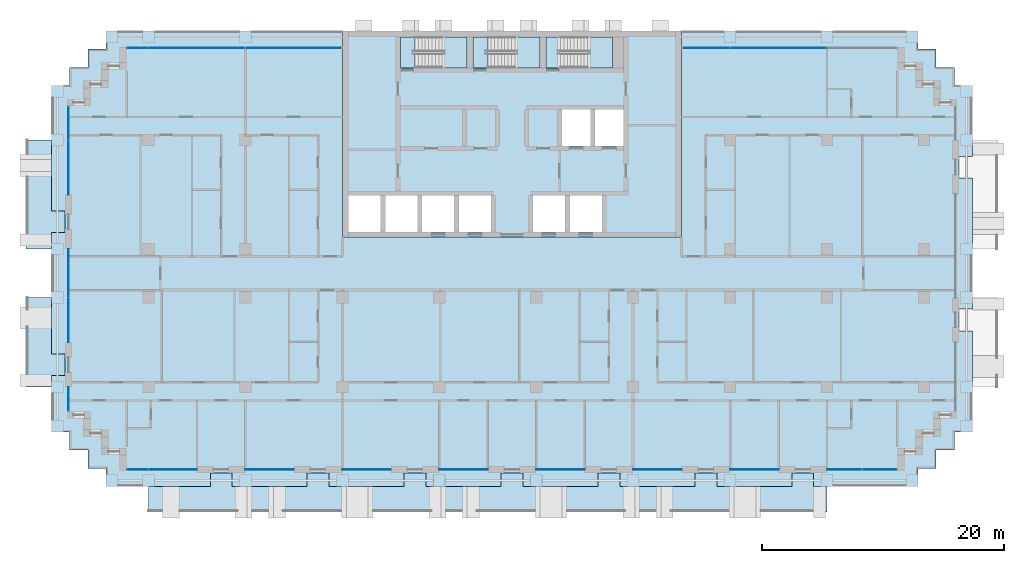
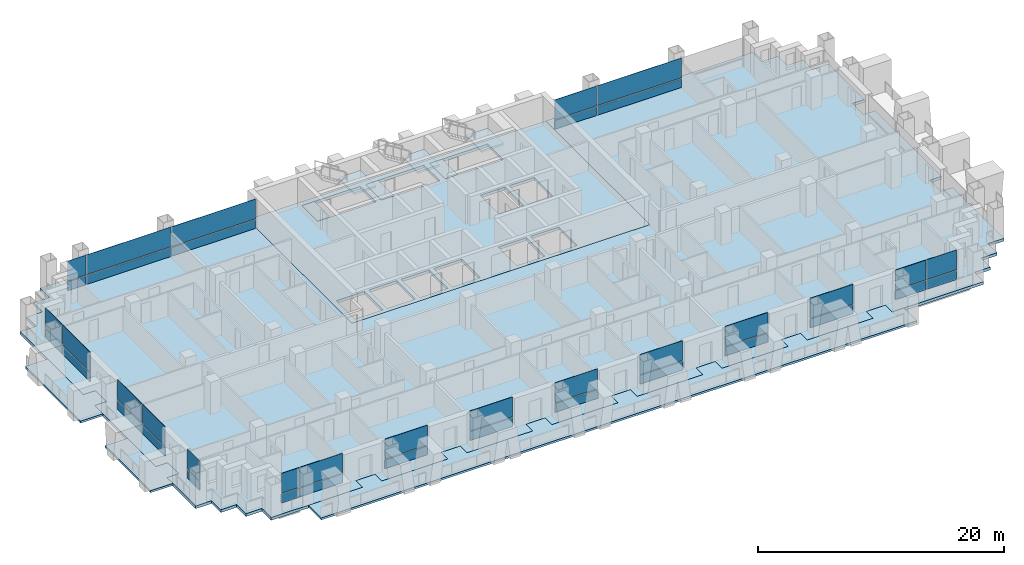
# One storey, part 7 of 18: 40 plates, 11 slabs, 16 elements without a shape of their own.
"""IFC4 building model written with IfcOpenShell, lengths in metres."""

from ifc_helpers import new_model, si_unit, direction, frame, origin, origin_2d, place, context, subcontext, project, spatial, polyline, rectangle, outline, extrude, material, layer, layer_set, type_object, element, aggregate, save


model = new_model("IFC4")

# Units and contexts
model_context = context("Model", 3, precision=1e-05, world=origin(), true_north=direction((0.0, 1.0)))
body_context = subcontext(model_context, "Body", "Model", "MODEL_VIEW")
ifc_project = project(units=[si_unit("LENGTHUNIT", "METRE"), si_unit("AREAUNIT", "SQUARE_METRE"), si_unit("VOLUMEUNIT", "CUBIC_METRE"), si_unit("PLANEANGLEUNIT", "RADIAN"), si_unit("MASSUNIT", "GRAM", prefix="KILO")], contexts=[model_context])

# Site, building, storey
site_placement = place(None, origin())
site = spatial("IfcSite", under=ifc_project, at=site_placement, CompositionType="ELEMENT")
building_placement = place(site_placement, origin())
building = spatial("IfcBuilding", under=site, at=building_placement, Name="Vidyagriha Tower", CompositionType="ELEMENT")
storey_placement = place(building_placement, frame((0.0, 0.0, 51.199951171875)))
storey = spatial("IfcBuildingStorey", under=building, at=storey_placement, Name="L13", CompositionType="ELEMENT", Elevation=51.199951171875)

# Curtain wall, plate
ifc_material_1 = material(Name="Aluminium and glass curtain wall", Category="aluminium")
curtain_wall_type = type_object("IfcCurtainWallType", Name="Dwelling skin unitised curtain wall", PredefinedType="USERDEFINED", material=ifc_material_1)
curtain_wall_1_placement = place(storey_placement, origin())
curtain_wall_1 = element("IfcCurtainWall", 1, at=curtain_wall_1_placement, inside=storey, type_object=curtain_wall_type, Name="CW1 dwelling skin", ObjectType="UNITISED", PredefinedType="USERDEFINED")
ifc_material_2 = material(Name="Glass dark ceramic-fritted spandrel", Category="glass")
ifc_layer_1 = layer(ifc_material_2, 0.0400390625)
ifc_layer_set_1 = layer_set([ifc_layer_1], Name="Glass dark ceramic-fritted spandrel")
plate_type_1 = type_object("IfcPlateType", Name="Ceramic-fritted spandrel panel", PredefinedType="CURTAIN_PANEL", material=ifc_layer_set_1)
plate_1_placement = place(storey_placement, frame((16.017578125, 18.60009765625, 0.0), z_axis=(0.0, 0.0, 1.0), x_axis=(-1.0, 0.0, 0.0)))
plate_1 = element("IfcPlate", 2, at=plate_1_placement, type_object=plate_type_1, Name="CW1 panel 3.1", PredefinedType="CURTAIN_PANEL", context=body_context, shape_type="SweptSolid", body=[
    extrude(rectangle(XDim=3.89501953125, YDim=0.0400390625, at=origin_2d()), origin(), (0.0, 0.0, 1.0), 0.85009765625),
])

# Curtain wall, plates
curtain_wall_2_placement = place(storey_placement, origin())
curtain_wall_2 = element("IfcCurtainWall", 3, at=curtain_wall_2_placement, inside=storey, type_object=curtain_wall_type, Name="CW1 dwelling skin", ObjectType="UNITISED", PredefinedType="USERDEFINED")
plate_2_placement = place(storey_placement, frame((-18.017578125, 18.60009765625, 0.0), z_axis=(0.0, 0.0, 1.0), x_axis=(-1.0, 0.0, 0.0)))
plate_2 = element("IfcPlate", 4, at=plate_2_placement, type_object=plate_type_1, Name="CW1 panel 1.1", PredefinedType="CURTAIN_PANEL", context=body_context, shape_type="SweptSolid", body=[
    extrude(rectangle(XDim=7.89501953125, YDim=0.0400390625, at=origin_2d()), origin(), (0.0, 0.0, 1.0), 0.85009765625),
])
plate_3_placement = place(storey_placement, frame((-30.882568359375, 18.60009765625, 0.0), z_axis=(0.0, 0.0, 1.0), x_axis=(-1.0, 0.0, 0.0)))
plate_3 = element("IfcPlate", 5, at=plate_3_placement, type_object=plate_type_1, Name="CW1 panel 3.1", PredefinedType="CURTAIN_PANEL", context=body_context, shape_type="SweptSolid", body=[
    extrude(rectangle(XDim=1.695068359375, YDim=0.0400390625, at=origin_2d()), origin(), (0.0, 0.0, 1.0), 0.85009765625),
])

curtain_wall_3_placement = place(storey_placement, origin())
curtain_wall_3 = element("IfcCurtainWall", 6, at=curtain_wall_3_placement, inside=storey, type_object=curtain_wall_type, Name="CW1 dwelling skin", ObjectType="UNITISED", PredefinedType="USERDEFINED")
plate_4_placement = place(storey_placement, frame((-36.60009765625, 12.382568359375, 0.0), z_axis=(0.0, 0.0, 1.0), x_axis=(0.0, -1.0, 0.0)))
plate_4 = element("IfcPlate", 7, at=plate_4_placement, type_object=plate_type_1, Name="CW1 panel 1.1", PredefinedType="CURTAIN_PANEL", context=body_context, shape_type="SweptSolid", body=[
    extrude(rectangle(XDim=2.695068359375, YDim=0.0400390625, at=origin_2d()), origin(), (0.0, 0.0, 1.0), 0.85009765625),
])
plate_5_placement = place(storey_placement, frame((-36.60009765625, 8.732421875, 0.0), z_axis=(0.0, 0.0, 1.0), x_axis=(0.0, -1.0, 0.0)))
plate_5 = element("IfcPlate", 8, at=plate_5_placement, type_object=plate_type_1, Name="CW1 panel 2.1", PredefinedType="CURTAIN_PANEL", context=body_context, shape_type="SweptSolid", body=[
    extrude(rectangle(XDim=4.465087890625, YDim=0.0400390625, at=origin_2d()), origin(), (0.0, 0.0, 1.0), 0.85009765625),
])

# Curtain wall, plate
curtain_wall_4_placement = place(storey_placement, origin())
curtain_wall_4 = element("IfcCurtainWall", 9, at=curtain_wall_4_placement, inside=storey, type_object=curtain_wall_type, Name="CW1 dwelling skin", ObjectType="UNITISED", PredefinedType="USERDEFINED")
plate_6_placement = place(storey_placement, frame((-36.60009765625, -10.364990234375, 0.0), z_axis=(0.0, 0.0, 1.0), x_axis=(0.0, -1.0, 0.0)))
plate_6 = element("IfcPlate", 10, at=plate_6_placement, type_object=plate_type_1, Name="CW1 panel 1.1", PredefinedType="CURTAIN_PANEL", context=body_context, shape_type="SweptSolid", body=[
    extrude(rectangle(XDim=1.929931640625, YDim=0.0400390625, at=origin_2d()), origin(), (0.0, 0.0, 1.0), 0.85009765625),
])

# Curtain wall, plates
curtain_wall_5_placement = place(storey_placement, origin())
curtain_wall_5 = element("IfcCurtainWall", 11, at=curtain_wall_5_placement, inside=storey, type_object=curtain_wall_type, Name="CW1 dwelling skin", ObjectType="UNITISED", PredefinedType="USERDEFINED")
plate_7_placement = place(storey_placement, frame((-30.882568359375, -16.199951171875, 0.0)))
plate_7 = element("IfcPlate", 12, at=plate_7_placement, type_object=plate_type_1, Name="CW1 panel 1.1", PredefinedType="CURTAIN_PANEL", context=body_context, shape_type="SweptSolid", body=[
    extrude(rectangle(XDim=1.695068359375, YDim=0.0400390625, at=origin_2d()), origin(), (0.0, 0.0, 1.0), 0.85009765625),
])
plate_8_placement = place(storey_placement, frame((-27.982421875, -16.199951171875, 0.0)))
plate_8 = element("IfcPlate", 13, at=plate_8_placement, type_object=plate_type_1, Name="CW1 panel 2.1", PredefinedType="CURTAIN_PANEL", context=body_context, shape_type="SweptSolid", body=[
    extrude(rectangle(XDim=3.965087890625, YDim=0.0400390625, at=origin_2d()), origin(), (0.0, 0.0, 1.0), 0.85009765625),
])

# Curtain wall, plate
curtain_wall_6_placement = place(storey_placement, origin())
curtain_wall_6 = element("IfcCurtainWall", 14, at=curtain_wall_6_placement, inside=storey, type_object=curtain_wall_type, Name="CW1 dwelling skin", ObjectType="UNITISED", PredefinedType="USERDEFINED")
plate_9_placement = place(storey_placement, frame((-12.0, -16.199951171875, 0.0)))
plate_9 = element("IfcPlate", 15, at=plate_9_placement, type_object=plate_type_1, Name="CW1 panel 1.1", PredefinedType="CURTAIN_PANEL", context=body_context, shape_type="SweptSolid", body=[
    extrude(rectangle(XDim=4.0, YDim=0.0400390625, at=origin_2d()), origin(), (0.0, 0.0, 1.0), 0.85009765625),
])

curtain_wall_7_placement = place(storey_placement, origin())
curtain_wall_7 = element("IfcCurtainWall", 16, at=curtain_wall_7_placement, inside=storey, type_object=curtain_wall_type, Name="CW1 dwelling skin", ObjectType="UNITISED", PredefinedType="USERDEFINED")
plate_10_placement = place(storey_placement, frame((4.0, -16.199951171875, 0.0)))
plate_10 = element("IfcPlate", 17, at=plate_10_placement, type_object=plate_type_1, Name="CW1 panel 1.1", PredefinedType="CURTAIN_PANEL", context=body_context, shape_type="SweptSolid", body=[
    extrude(rectangle(XDim=4.0, YDim=0.0400390625, at=origin_2d()), origin(), (0.0, 0.0, 1.0), 0.85009765625),
])

curtain_wall_8_placement = place(storey_placement, origin())
curtain_wall_8 = element("IfcCurtainWall", 18, at=curtain_wall_8_placement, inside=storey, type_object=curtain_wall_type, Name="CW1 dwelling skin", ObjectType="UNITISED", PredefinedType="USERDEFINED")
plate_11_placement = place(storey_placement, frame((20.0, -16.199951171875, 0.0)))
plate_11 = element("IfcPlate", 19, at=plate_11_placement, type_object=plate_type_1, Name="CW1 panel 1.1", PredefinedType="CURTAIN_PANEL", context=body_context, shape_type="SweptSolid", body=[
    extrude(rectangle(XDim=4.0, YDim=0.0400390625, at=origin_2d()), origin(), (0.0, 0.0, 1.0), 0.85009765625),
])

curtain_wall_9_placement = place(storey_placement, origin())
curtain_wall_9 = element("IfcCurtainWall", 20, at=curtain_wall_9_placement, inside=storey, type_object=curtain_wall_type, Name="CW1 dwelling skin", ObjectType="UNITISED", PredefinedType="USERDEFINED")
plate_12_placement = place(storey_placement, frame((30.33251953125, -16.199951171875, 0.0)))
plate_12 = element("IfcPlate", 21, at=plate_12_placement, type_object=plate_type_1, Name="CW1 panel 2.1", PredefinedType="CURTAIN_PANEL", context=body_context, shape_type="SweptSolid", body=[
    extrude(rectangle(XDim=2.794921875, YDim=0.0400390625, at=origin_2d()), origin(), (0.0, 0.0, 1.0), 0.85009765625),
])

# Slab
ifc_material_3 = material(Name="Concrete C60/75", Category="concrete")
ifc_layer_2 = layer(ifc_material_3, 0.280029296875)
ifc_layer_set_2 = layer_set([ifc_layer_2], Name="Concrete C60/75")
slab_type_1 = type_object("IfcSlabType", Name="Core floor slab 280 mm", PredefinedType="FLOOR", material=ifc_layer_set_2)
slab_1_placement = place(storey_placement, frame((0.0, 0.0, -0.280029296875)))
element("IfcSlab", 22, at=slab_1_placement, inside=storey, type_object=slab_type_1, Name="L13 core floor 1", PredefinedType="FLOOR", context=body_context, shape_type="SweptSolid", body=[
    extrude(outline(polyline([(-14.0, 3.0), (-14.0, 20.0), (14.0, 20.0), (14.0, 3.0), (-14.0, 3.0)]), holes=[polyline([(9.199951171875, 13.5), (6.86669921875, 13.5), (6.86669921875, 10.5), (9.199951171875, 10.5), (9.199951171875, 13.5)]), polyline([(4.0, 19.5), (2.800048828125, 19.5), (2.800048828125, 16.949951171875), (4.0, 16.949951171875), (8.300048828125, 16.949951171875), (8.300048828125, 19.5), (4.0, 19.5)]), polyline([(7.4111328125, 6.39990234375), (4.7666015625, 6.39990234375), (4.7666015625, 3.39990234375), (7.4111328125, 3.39990234375), (7.4111328125, 6.39990234375)]), polyline([(6.466796875, 13.5), (4.13330078125, 13.5), (4.13330078125, 10.5), (6.466796875, 10.5), (6.466796875, 13.5)]), polyline([(1.72216796875, 6.39990234375), (1.72216796875, 3.39990234375), (4.36669921875, 3.39990234375), (4.36669921875, 6.39990234375), (1.72216796875, 6.39990234375)]), polyline([(-2.0, 16.949951171875), (2.300048828125, 16.949951171875), (2.300048828125, 19.5), (-2.0, 19.5), (-3.199951171875, 19.5), (-3.199951171875, 16.949951171875), (-2.0, 16.949951171875)]), polyline([(-1.72216796875, 6.39990234375), (-4.36669921875, 6.39990234375), (-4.36669921875, 3.39990234375), (-1.72216796875, 3.39990234375), (-1.72216796875, 6.39990234375)]), polyline([(-8.0, 19.5), (-9.199951171875, 19.5), (-9.199951171875, 16.949951171875), (-8.0, 16.949951171875), (-3.699951171875, 16.949951171875), (-3.699951171875, 19.5), (-8.0, 19.5)]), polyline([(-4.7666015625, 6.39990234375), (-7.4111328125, 6.39990234375), (-7.4111328125, 3.39990234375), (-4.7666015625, 3.39990234375), (-4.7666015625, 6.39990234375)]), polyline([(-7.81103515625, 6.39990234375), (-10.45556640625, 6.39990234375), (-10.45556640625, 3.39990234375), (-7.81103515625, 3.39990234375), (-7.81103515625, 6.39990234375)]), polyline([(-13.5, 6.39990234375), (-13.5, 3.39990234375), (-10.855712890625, 3.39990234375), (-10.855712890625, 6.39990234375), (-13.5, 6.39990234375)])]), origin(), (0.0, 0.0, 1.0), 0.280029296875),
])

# Plate
ifc_material_4 = material(Name="Glass dark ceramic-fritted", Category="glass")
ifc_layer_3 = layer(ifc_material_4, 0.028076171875)
ifc_layer_set_3 = layer_set([ifc_layer_3], Name="Glass dark ceramic-fritted")
plate_type_2 = type_object("IfcPlateType", Name="Dark ceramic-fritted vision glass panel", PredefinedType="CURTAIN_PANEL", material=ifc_layer_set_3)
plate_13_placement = place(storey_placement, frame((22.0, 18.60009765625, 0.9501953125), z_axis=(0.0, 0.0, 1.0), x_axis=(-1.0, 0.0, 0.0)))
plate_13 = element("IfcPlate", 23, at=plate_13_placement, type_object=plate_type_2, Name="CW1 panel 2.2", PredefinedType="CURTAIN_PANEL", context=body_context, shape_type="SweptSolid", body=[
    extrude(rectangle(XDim=7.929931640625, YDim=0.028076171875, at=origin_2d()), origin(), (0.0, 0.0, 1.0), 1.969970703125),
])

plate_14_placement = place(storey_placement, frame((16.017578125, 18.60009765625, 0.9501953125), z_axis=(0.0, 0.0, 1.0), x_axis=(-1.0, 0.0, 0.0)))
plate_14 = element("IfcPlate", 24, at=plate_14_placement, type_object=plate_type_2, Name="CW1 panel 3.2", PredefinedType="CURTAIN_PANEL", context=body_context, shape_type="SweptSolid", body=[
    extrude(rectangle(XDim=3.89501953125, YDim=0.028076171875, at=origin_2d()), origin(), (0.0, 0.0, 1.0), 1.969970703125),
])

plate_15_placement = place(storey_placement, frame((-18.017578125, 18.60009765625, 0.9501953125), z_axis=(0.0, 0.0, 1.0), x_axis=(-1.0, 0.0, 0.0)))
plate_15 = element("IfcPlate", 25, at=plate_15_placement, type_object=plate_type_2, Name="CW1 panel 1.2", PredefinedType="CURTAIN_PANEL", context=body_context, shape_type="SweptSolid", body=[
    extrude(rectangle(XDim=7.89501953125, YDim=0.028076171875, at=origin_2d()), origin(), (0.0, 0.0, 1.0), 1.969970703125),
])

plate_16_placement = place(storey_placement, frame((-26.0, 18.60009765625, 0.9501953125), z_axis=(0.0, 0.0, 1.0), x_axis=(-1.0, 0.0, 0.0)))
plate_16 = element("IfcPlate", 26, at=plate_16_placement, type_object=plate_type_2, Name="CW1 panel 2.2", PredefinedType="CURTAIN_PANEL", context=body_context, shape_type="SweptSolid", body=[
    extrude(rectangle(XDim=7.929931640625, YDim=0.028076171875, at=origin_2d()), origin(), (0.0, 0.0, 1.0), 1.969970703125),
])

plate_17_placement = place(storey_placement, frame((-30.882568359375, 18.60009765625, 0.9501953125), z_axis=(0.0, 0.0, 1.0), x_axis=(-1.0, 0.0, 0.0)))
plate_17 = element("IfcPlate", 27, at=plate_17_placement, type_object=plate_type_2, Name="CW1 panel 3.2", PredefinedType="CURTAIN_PANEL", context=body_context, shape_type="SweptSolid", body=[
    extrude(rectangle(XDim=1.695068359375, YDim=0.028076171875, at=origin_2d()), origin(), (0.0, 0.0, 1.0), 1.969970703125),
])

plate_18_placement = place(storey_placement, frame((-36.60009765625, 12.382568359375, 0.9501953125), z_axis=(0.0, 0.0, 1.0), x_axis=(0.0, -1.0, 0.0)))
plate_18 = element("IfcPlate", 28, at=plate_18_placement, type_object=plate_type_2, Name="CW1 panel 1.2", PredefinedType="CURTAIN_PANEL", context=body_context, shape_type="SweptSolid", body=[
    extrude(rectangle(XDim=2.695068359375, YDim=0.028076171875, at=origin_2d()), origin(), (0.0, 0.0, 1.0), 1.969970703125),
])

plate_19_placement = place(storey_placement, frame((-36.60009765625, 8.732421875, 0.9501953125), z_axis=(0.0, 0.0, 1.0), x_axis=(0.0, -1.0, 0.0)))
plate_19 = element("IfcPlate", 29, at=plate_19_placement, type_object=plate_type_2, Name="CW1 panel 2.2", PredefinedType="CURTAIN_PANEL", context=body_context, shape_type="SweptSolid", body=[
    extrude(rectangle(XDim=4.465087890625, YDim=0.028076171875, at=origin_2d()), origin(), (0.0, 0.0, 1.0), 1.969970703125),
])

aggregate(curtain_wall_3, [plate_4, plate_18, plate_5, plate_19])

# Curtain wall, plates
curtain_wall_10_placement = place(storey_placement, origin())
curtain_wall_10 = element("IfcCurtainWall", 30, at=curtain_wall_10_placement, inside=storey, type_object=curtain_wall_type, Name="CW1 dwelling skin", ObjectType="UNITISED", PredefinedType="USERDEFINED")
plate_20_placement = place(storey_placement, frame((-36.60009765625, 0.017578125, 0.9501953125), z_axis=(0.0, 0.0, 1.0), x_axis=(0.0, -1.0, 0.0)))
plate_20 = element("IfcPlate", 31, at=plate_20_placement, type_object=plate_type_2, Name="CW1 panel 1.2", PredefinedType="CURTAIN_PANEL", context=body_context, shape_type="SweptSolid", body=[
    extrude(rectangle(XDim=3.965087890625, YDim=0.028076171875, at=origin_2d()), origin(), (0.0, 0.0, 1.0), 1.969970703125),
])
plate_21_placement = place(storey_placement, frame((-36.60009765625, -3.867431640625, 0.9501953125), z_axis=(0.0, 0.0, 1.0), x_axis=(0.0, -1.0, 0.0)))
plate_21 = element("IfcPlate", 32, at=plate_21_placement, type_object=plate_type_2, Name="CW1 panel 2.2", PredefinedType="CURTAIN_PANEL", context=body_context, shape_type="SweptSolid", body=[
    extrude(rectangle(XDim=3.6650390625, YDim=0.028076171875, at=origin_2d()), origin(), (0.0, 0.0, 1.0), 1.969970703125),
])

# Plate
plate_22_placement = place(storey_placement, frame((-36.60009765625, -10.364990234375, 0.9501953125), z_axis=(0.0, 0.0, 1.0), x_axis=(0.0, -1.0, 0.0)))
plate_22 = element("IfcPlate", 33, at=plate_22_placement, type_object=plate_type_2, Name="CW1 panel 1.2", PredefinedType="CURTAIN_PANEL", context=body_context, shape_type="SweptSolid", body=[
    extrude(rectangle(XDim=1.929931640625, YDim=0.028076171875, at=origin_2d()), origin(), (0.0, 0.0, 1.0), 1.969970703125),
])

aggregate(curtain_wall_4, [plate_6, plate_22])

plate_23_placement = place(storey_placement, frame((-30.882568359375, -16.199951171875, 0.9501953125)))
plate_23 = element("IfcPlate", 34, at=plate_23_placement, type_object=plate_type_2, Name="CW1 panel 1.2", PredefinedType="CURTAIN_PANEL", context=body_context, shape_type="SweptSolid", body=[
    extrude(rectangle(XDim=1.695068359375, YDim=0.028076171875, at=origin_2d()), origin(), (0.0, 0.0, 1.0), 1.969970703125),
])

plate_24_placement = place(storey_placement, frame((-27.982421875, -16.199951171875, 0.9501953125)))
plate_24 = element("IfcPlate", 35, at=plate_24_placement, type_object=plate_type_2, Name="CW1 panel 2.2", PredefinedType="CURTAIN_PANEL", context=body_context, shape_type="SweptSolid", body=[
    extrude(rectangle(XDim=3.965087890625, YDim=0.028076171875, at=origin_2d()), origin(), (0.0, 0.0, 1.0), 1.969970703125),
])

aggregate(curtain_wall_5, [plate_7, plate_23, plate_8, plate_24])

# Curtain wall, plate
curtain_wall_11_placement = place(storey_placement, origin())
curtain_wall_11 = element("IfcCurtainWall", 36, at=curtain_wall_11_placement, inside=storey, type_object=curtain_wall_type, Name="CW1 dwelling skin", ObjectType="UNITISED", PredefinedType="USERDEFINED")
plate_25_placement = place(storey_placement, frame((-20.0, -16.199951171875, 0.9501953125)))
plate_25 = element("IfcPlate", 37, at=plate_25_placement, type_object=plate_type_2, Name="CW1 panel 1.2", PredefinedType="CURTAIN_PANEL", context=body_context, shape_type="SweptSolid", body=[
    extrude(rectangle(XDim=4.0, YDim=0.028076171875, at=origin_2d()), origin(), (0.0, 0.0, 1.0), 1.969970703125),
])

# Plate
plate_26_placement = place(storey_placement, frame((-12.0, -16.199951171875, 0.9501953125)))
plate_26 = element("IfcPlate", 38, at=plate_26_placement, type_object=plate_type_2, Name="CW1 panel 1.2", PredefinedType="CURTAIN_PANEL", context=body_context, shape_type="SweptSolid", body=[
    extrude(rectangle(XDim=4.0, YDim=0.028076171875, at=origin_2d()), origin(), (0.0, 0.0, 1.0), 1.969970703125),
])

aggregate(curtain_wall_6, [plate_9, plate_26])

# Curtain wall, plate
curtain_wall_12_placement = place(storey_placement, origin())
curtain_wall_12 = element("IfcCurtainWall", 39, at=curtain_wall_12_placement, inside=storey, type_object=curtain_wall_type, Name="CW1 dwelling skin", ObjectType="UNITISED", PredefinedType="USERDEFINED")
plate_27_placement = place(storey_placement, frame((-4.0, -16.199951171875, 0.9501953125)))
plate_27 = element("IfcPlate", 40, at=plate_27_placement, type_object=plate_type_2, Name="CW1 panel 1.2", PredefinedType="CURTAIN_PANEL", context=body_context, shape_type="SweptSolid", body=[
    extrude(rectangle(XDim=4.0, YDim=0.028076171875, at=origin_2d()), origin(), (0.0, 0.0, 1.0), 1.969970703125),
])

# Plate
plate_28_placement = place(storey_placement, frame((4.0, -16.199951171875, 0.9501953125)))
plate_28 = element("IfcPlate", 41, at=plate_28_placement, type_object=plate_type_2, Name="CW1 panel 1.2", PredefinedType="CURTAIN_PANEL", context=body_context, shape_type="SweptSolid", body=[
    extrude(rectangle(XDim=4.0, YDim=0.028076171875, at=origin_2d()), origin(), (0.0, 0.0, 1.0), 1.969970703125),
])

aggregate(curtain_wall_7, [plate_10, plate_28])

# Curtain wall, plate
curtain_wall_13_placement = place(storey_placement, origin())
curtain_wall_13 = element("IfcCurtainWall", 42, at=curtain_wall_13_placement, inside=storey, type_object=curtain_wall_type, Name="CW1 dwelling skin", ObjectType="UNITISED", PredefinedType="USERDEFINED")
plate_29_placement = place(storey_placement, frame((12.0, -16.199951171875, 0.9501953125)))
plate_29 = element("IfcPlate", 43, at=plate_29_placement, type_object=plate_type_2, Name="CW1 panel 1.2", PredefinedType="CURTAIN_PANEL", context=body_context, shape_type="SweptSolid", body=[
    extrude(rectangle(XDim=4.0, YDim=0.028076171875, at=origin_2d()), origin(), (0.0, 0.0, 1.0), 1.969970703125),
])

# Plate
plate_30_placement = place(storey_placement, frame((20.0, -16.199951171875, 0.9501953125)))
plate_30 = element("IfcPlate", 44, at=plate_30_placement, type_object=plate_type_2, Name="CW1 panel 1.2", PredefinedType="CURTAIN_PANEL", context=body_context, shape_type="SweptSolid", body=[
    extrude(rectangle(XDim=4.0, YDim=0.028076171875, at=origin_2d()), origin(), (0.0, 0.0, 1.0), 1.969970703125),
])

aggregate(curtain_wall_8, [plate_11, plate_30])

plate_31_placement = place(storey_placement, frame((27.4326171875, -16.199951171875, 0.9501953125)))
plate_31 = element("IfcPlate", 45, at=plate_31_placement, type_object=plate_type_2, Name="CW1 panel 1.2", PredefinedType="CURTAIN_PANEL", context=body_context, shape_type="SweptSolid", body=[
    extrude(rectangle(XDim=2.864990234375, YDim=0.028076171875, at=origin_2d()), origin(), (0.0, 0.0, 1.0), 1.969970703125),
])

plate_32_placement = place(storey_placement, frame((30.33251953125, -16.199951171875, 0.9501953125)))
plate_32 = element("IfcPlate", 46, at=plate_32_placement, type_object=plate_type_2, Name="CW1 panel 2.2", PredefinedType="CURTAIN_PANEL", context=body_context, shape_type="SweptSolid", body=[
    extrude(rectangle(XDim=2.794921875, YDim=0.028076171875, at=origin_2d()), origin(), (0.0, 0.0, 1.0), 1.969970703125),
])

# Slabs
ifc_material_5 = material(Name="Concrete C40/50", Category="concrete")
ifc_layer_4 = layer(ifc_material_5, 0.280029296875)
ifc_layer_set_4 = layer_set([ifc_layer_4], Name="Concrete C40/50")
slab_type_2 = type_object("IfcSlabType", Name="Exit stair floor landing 280 mm", PredefinedType="LANDING", material=ifc_layer_set_4)
slab_2_placement = place(storey_placement, frame((0.0, 0.0, -0.280029296875)))
element("IfcSlab", 47, at=slab_2_placement, inside=storey, type_object=slab_type_2, Name="ST1 floor landing L13", PredefinedType="LANDING", context=body_context, shape_type="SweptSolid", body=[
    extrude(outline(polyline([(-9.199951171875, 16.949951171875), (-8.0, 16.949951171875), (-8.0, 19.5), (-9.199951171875, 19.5), (-9.199951171875, 16.949951171875)])), origin(), (0.0, 0.0, 1.0), 0.280029296875),
])
slab_3_placement = place(storey_placement, frame((0.0, 0.0, -0.280029296875)))
element("IfcSlab", 48, at=slab_3_placement, inside=storey, type_object=slab_type_2, Name="ST2 floor landing L13", PredefinedType="LANDING", context=body_context, shape_type="SweptSolid", body=[
    extrude(outline(polyline([(-3.199951171875, 16.949951171875), (-2.0, 16.949951171875), (-2.0, 19.5), (-3.199951171875, 19.5), (-3.199951171875, 16.949951171875)])), origin(), (0.0, 0.0, 1.0), 0.280029296875),
])
slab_4_placement = place(storey_placement, frame((0.0, 0.0, -0.280029296875)))
element("IfcSlab", 49, at=slab_4_placement, inside=storey, type_object=slab_type_2, Name="ST3 floor landing L13", PredefinedType="LANDING", context=body_context, shape_type="SweptSolid", body=[
    extrude(outline(polyline([(2.800048828125, 16.949951171875), (4.0, 16.949951171875), (4.0, 19.5), (2.800048828125, 19.5), (2.800048828125, 16.949951171875)])), origin(), (0.0, 0.0, 1.0), 0.280029296875),
])

# Stair, slab
ifc_material_6 = material(Name="Concrete C40/50", Category="concrete")
stair_type = type_object("IfcStairType", Name="Exit stair, half-turn, precast flights", PredefinedType="HALF_TURN_STAIR", material=ifc_material_6)
stair_1_placement = place(storey_placement, origin())
stair_1 = element("IfcStair", 50, at=stair_1_placement, inside=storey, type_object=stair_type, Name="L13 Exit Stair ST1", PredefinedType="HALF_TURN_STAIR")
ifc_material_7 = material(Name="Concrete C40/50", Category="concrete")
ifc_layer_5 = layer(ifc_material_7, 0.199951171875)
ifc_layer_set_5 = layer_set([ifc_layer_5], Name="Concrete C40/50")
slab_type_3 = type_object("IfcSlabType", Name="Exit stair landing 200 mm", PredefinedType="LANDING", material=ifc_layer_set_5)
slab_5_placement = place(storey_placement, frame((0.0, 0.0, 1.400146484375)))
slab_5 = element("IfcSlab", 51, at=slab_5_placement, type_object=slab_type_3, Name="ST1 landing 1", PredefinedType="LANDING", context=body_context, shape_type="SweptSolid", body=[
    extrude(outline(polyline([(-5.760009765625, 16.949951171875), (-3.699951171875, 16.949951171875), (-3.699951171875, 19.5), (-5.760009765625, 19.5), (-5.760009765625, 16.949951171875)])), origin(), (0.0, 0.0, 1.0), 0.199951171875),
])
aggregate(stair_1, [slab_5])

stair_2_placement = place(storey_placement, origin())
stair_2 = element("IfcStair", 52, at=stair_2_placement, inside=storey, type_object=stair_type, Name="L13 Exit Stair ST2", PredefinedType="HALF_TURN_STAIR")
slab_6_placement = place(storey_placement, frame((0.0, 0.0, 1.400146484375)))
slab_6 = element("IfcSlab", 53, at=slab_6_placement, type_object=slab_type_3, Name="ST2 landing 1", PredefinedType="LANDING", context=body_context, shape_type="SweptSolid", body=[
    extrude(outline(polyline([(0.239990234375, 16.949951171875), (2.300048828125, 16.949951171875), (2.300048828125, 19.5), (0.239990234375, 19.5), (0.239990234375, 16.949951171875)])), origin(), (0.0, 0.0, 1.0), 0.199951171875),
])
aggregate(stair_2, [slab_6])

stair_3_placement = place(storey_placement, origin())
stair_3 = element("IfcStair", 54, at=stair_3_placement, inside=storey, type_object=stair_type, Name="L13 Exit Stair ST3", PredefinedType="HALF_TURN_STAIR")
slab_7_placement = place(storey_placement, frame((0.0, 0.0, 1.400146484375)))
slab_7 = element("IfcSlab", 55, at=slab_7_placement, type_object=slab_type_3, Name="ST3 landing 1", PredefinedType="LANDING", context=body_context, shape_type="SweptSolid", body=[
    extrude(outline(polyline([(6.239990234375, 16.949951171875), (8.300048828125, 16.949951171875), (8.300048828125, 19.5), (6.239990234375, 19.5), (6.239990234375, 16.949951171875)])), origin(), (0.0, 0.0, 1.0), 0.199951171875),
])
aggregate(stair_3, [slab_7])

# Plate
ifc_material_8 = material(Name="Aluminium black anodised", Category="aluminium")
ifc_layer_6 = layer(ifc_material_8, 0.06005859375)
ifc_layer_set_6 = layer_set([ifc_layer_6], Name="Aluminium black anodised")
plate_type_3 = type_object("IfcPlateType", Name="Operable black-metal vent panel", PredefinedType="CURTAIN_PANEL", material=ifc_layer_set_6)
plate_33_placement = place(storey_placement, frame((22.0, 18.60009765625, 0.0), z_axis=(0.0, 0.0, 1.0), x_axis=(-1.0, 0.0, 0.0)))
plate_33 = element("IfcPlate", 56, at=plate_33_placement, type_object=plate_type_3, Name="CW1 panel 2.1", PredefinedType="CURTAIN_PANEL", context=body_context, shape_type="SweptSolid", body=[
    extrude(rectangle(XDim=7.929931640625, YDim=0.06005859375, at=origin_2d()), origin(), (0.0, 0.0, 1.0), 0.85009765625),
])

aggregate(curtain_wall_1, [plate_33, plate_13, plate_1, plate_14])

plate_34_placement = place(storey_placement, frame((-26.0, 18.60009765625, 0.0), z_axis=(0.0, 0.0, 1.0), x_axis=(-1.0, 0.0, 0.0)))
plate_34 = element("IfcPlate", 57, at=plate_34_placement, type_object=plate_type_3, Name="CW1 panel 2.1", PredefinedType="CURTAIN_PANEL", context=body_context, shape_type="SweptSolid", body=[
    extrude(rectangle(XDim=7.929931640625, YDim=0.06005859375, at=origin_2d()), origin(), (0.0, 0.0, 1.0), 0.85009765625),
])

aggregate(curtain_wall_2, [plate_2, plate_15, plate_34, plate_16, plate_3, plate_17])

plate_35_placement = place(storey_placement, frame((-36.60009765625, 0.017578125, 0.0), z_axis=(0.0, 0.0, 1.0), x_axis=(0.0, -1.0, 0.0)))
plate_35 = element("IfcPlate", 58, at=plate_35_placement, type_object=plate_type_3, Name="CW1 panel 1.1", PredefinedType="CURTAIN_PANEL", context=body_context, shape_type="SweptSolid", body=[
    extrude(rectangle(XDim=3.965087890625, YDim=0.06005859375, at=origin_2d()), origin(), (0.0, 0.0, 1.0), 0.85009765625),
])

plate_36_placement = place(storey_placement, frame((-36.60009765625, -3.867431640625, 0.0), z_axis=(0.0, 0.0, 1.0), x_axis=(0.0, -1.0, 0.0)))
plate_36 = element("IfcPlate", 59, at=plate_36_placement, type_object=plate_type_3, Name="CW1 panel 2.1", PredefinedType="CURTAIN_PANEL", context=body_context, shape_type="SweptSolid", body=[
    extrude(rectangle(XDim=3.6650390625, YDim=0.06005859375, at=origin_2d()), origin(), (0.0, 0.0, 1.0), 0.85009765625),
])

aggregate(curtain_wall_10, [plate_35, plate_20, plate_36, plate_21])

plate_37_placement = place(storey_placement, frame((-20.0, -16.199951171875, 0.0)))
plate_37 = element("IfcPlate", 60, at=plate_37_placement, type_object=plate_type_3, Name="CW1 panel 1.1", PredefinedType="CURTAIN_PANEL", context=body_context, shape_type="SweptSolid", body=[
    extrude(rectangle(XDim=4.0, YDim=0.06005859375, at=origin_2d()), origin(), (0.0, 0.0, 1.0), 0.85009765625),
])

aggregate(curtain_wall_11, [plate_37, plate_25])

plate_38_placement = place(storey_placement, frame((-4.0, -16.199951171875, 0.0)))
plate_38 = element("IfcPlate", 61, at=plate_38_placement, type_object=plate_type_3, Name="CW1 panel 1.1", PredefinedType="CURTAIN_PANEL", context=body_context, shape_type="SweptSolid", body=[
    extrude(rectangle(XDim=4.0, YDim=0.06005859375, at=origin_2d()), origin(), (0.0, 0.0, 1.0), 0.85009765625),
])

aggregate(curtain_wall_12, [plate_38, plate_27])

plate_39_placement = place(storey_placement, frame((12.0, -16.199951171875, 0.0)))
plate_39 = element("IfcPlate", 62, at=plate_39_placement, type_object=plate_type_3, Name="CW1 panel 1.1", PredefinedType="CURTAIN_PANEL", context=body_context, shape_type="SweptSolid", body=[
    extrude(rectangle(XDim=4.0, YDim=0.06005859375, at=origin_2d()), origin(), (0.0, 0.0, 1.0), 0.85009765625),
])

aggregate(curtain_wall_13, [plate_39, plate_29])

plate_40_placement = place(storey_placement, frame((27.4326171875, -16.199951171875, 0.0)))
plate_40 = element("IfcPlate", 63, at=plate_40_placement, type_object=plate_type_3, Name="CW1 panel 1.1", PredefinedType="CURTAIN_PANEL", context=body_context, shape_type="SweptSolid", body=[
    extrude(rectangle(XDim=2.864990234375, YDim=0.06005859375, at=origin_2d()), origin(), (0.0, 0.0, 1.0), 0.85009765625),
])

aggregate(curtain_wall_9, [plate_40, plate_31, plate_12, plate_32])

# Slabs
ifc_material_9 = material(Name="Concrete C50/60", Category="concrete")
ifc_layer_7 = layer(ifc_material_9, 0.280029296875)
ifc_layer_set_7 = layer_set([ifc_layer_7], Name="Concrete C50/60")
slab_type_4 = type_object("IfcSlabType", Name="Post-tensioned flat plate 280", PredefinedType="FLOOR", material=ifc_layer_set_7)
slab_8_placement = place(storey_placement, frame((0.0, 0.0, -0.280029296875)))
element("IfcSlab", 64, at=slab_8_placement, inside=storey, type_object=slab_type_4, Name="st-slab-L13-1", PredefinedType="FLOOR", context=body_context, shape_type="SweptSolid", body=[
    extrude(outline(polyline([(36.5, -14.60009765625), (35.0, -14.60009765625), (35.0, -16.10009765625), (33.5, -16.10009765625), (33.5, -17.60009765625), (24.89990234375, -17.60009765625), (24.89990234375, -16.5), (23.10009765625, -16.5), (23.10009765625, -17.60009765625), (16.89990234375, -17.60009765625), (16.89990234375, -16.5), (15.10009765625, -16.5), (15.10009765625, -17.60009765625), (8.89990234375, -17.60009765625), (8.89990234375, -16.5), (7.10009765625, -16.5), (7.10009765625, -17.60009765625), (0.89990234375, -17.60009765625), (0.89990234375, -16.5), (-0.89990234375, -16.5), (-0.89990234375, -17.60009765625), (-7.10009765625, -17.60009765625), (-7.10009765625, -16.5), (-8.89990234375, -16.5), (-8.89990234375, -17.60009765625), (-15.10009765625, -17.60009765625), (-15.10009765625, -16.5), (-16.89990234375, -16.5), (-16.89990234375, -17.60009765625), (-23.10009765625, -17.60009765625), (-23.10009765625, -16.5), (-24.89990234375, -16.5), (-24.89990234375, -17.60009765625), (-33.5, -17.60009765625), (-33.5, -16.10009765625), (-35.0, -16.10009765625), (-35.0, -14.60009765625), (-36.5, -14.60009765625), (-36.5, -13.10009765625), (-38.0, -13.10009765625), (-38.0, -8.449951171875), (-36.89990234375, -8.449951171875), (-36.89990234375, -6.64990234375), (-38.0, -6.64990234375), (-38.0, 3.35009765625), (-36.89990234375, 3.35009765625), (-36.89990234375, 5.14990234375), (-38.0, 5.14990234375), (-38.0, 15.5), (-36.5, 15.5), (-36.5, 17.0), (-35.0, 17.0), (-35.0, 18.5), (-33.5, 18.5), (-33.5, 20.0), (-14.0, 20.0), (-14.0, 3.0), (14.0, 3.0), (14.0, 20.0), (33.5, 20.0), (33.5, 18.5), (35.0, 18.5), (35.0, 17.0), (36.5, 17.0), (36.5, 15.5), (38.0, 15.5), (38.0, 9.64990234375), (36.89990234375, 9.64990234375), (36.89990234375, 7.85009765625), (38.0, 7.85009765625), (38.0, -2.949951171875), (36.89990234375, -2.949951171875), (36.89990234375, -4.75), (38.0, -4.75), (38.0, -13.10009765625), (36.5, -13.10009765625), (36.5, -14.60009765625)])), origin(), (0.0, 0.0, 1.0), 0.280029296875),
])
ifc_material_10 = material(Name="Precast concrete C40/50", Category="concrete")
ifc_layer_8 = layer(ifc_material_10, 0.199951171875)
ifc_layer_set_8 = layer_set([ifc_layer_8], Name="Precast concrete C40/50")
slab_type_5 = type_object("IfcSlabType", Name="Precast balcony slab 200", PredefinedType="USERDEFINED", material=ifc_layer_set_8)
slab_9_placement = place(storey_placement, frame((0.0, 0.0, -0.199951171875)))
element("IfcSlab", 65, at=slab_9_placement, inside=storey, type_object=slab_type_5, Name="Balcony slab L13 R16.1-1", ObjectType="BALCONY", PredefinedType="USERDEFINED", context=body_context, shape_type="SweptSolid", body=[
    extrude(outline(polyline([(-36.89990234375, 3.35009765625), (-36.89990234375, 5.14990234375), (-38.0, 5.14990234375), (-38.0, 11.0), (-40.10009765625, 11.0), (-40.10009765625, 2.0), (-38.0, 2.0), (-38.0, 3.35009765625), (-36.89990234375, 3.35009765625)])), origin(), (0.0, 0.0, 1.0), 0.199951171875),
])
slab_10_placement = place(storey_placement, frame((0.0, 0.0, -0.199951171875)))
element("IfcSlab", 66, at=slab_10_placement, inside=storey, type_object=slab_type_5, Name="Balcony slab L13 R16.2-2", ObjectType="BALCONY", PredefinedType="USERDEFINED", context=body_context, shape_type="SweptSolid", body=[
    extrude(outline(polyline([(-36.89990234375, -8.449951171875), (-36.89990234375, -6.64990234375), (-38.0, -6.64990234375), (-38.0, -2.0), (-40.10009765625, -2.0), (-40.10009765625, -9.39990234375), (-38.0, -9.39990234375), (-38.0, -8.449951171875), (-36.89990234375, -8.449951171875)])), origin(), (0.0, 0.0, 1.0), 0.199951171875),
])
slab_11_placement = place(storey_placement, frame((0.0, 0.0, -0.199951171875)))
element("IfcSlab", 67, at=slab_11_placement, inside=storey, type_object=slab_type_5, Name="Balcony slab L13 R23.1-7", ObjectType="BALCONY", PredefinedType="USERDEFINED", context=body_context, shape_type="SweptSolid", body=[
    extrude(outline(polyline([(-23.10009765625, -16.5), (-24.89990234375, -16.5), (-24.89990234375, -17.60009765625), (-30.0, -17.60009765625), (-30.0, -19.699951171875), (26.0, -19.699951171875), (26.0, -17.60009765625), (24.89990234375, -17.60009765625), (24.89990234375, -16.5), (23.10009765625, -16.5), (23.10009765625, -17.60009765625), (16.89990234375, -17.60009765625), (16.89990234375, -16.5), (15.10009765625, -16.5), (15.10009765625, -17.60009765625), (8.89990234375, -17.60009765625), (8.89990234375, -16.5), (7.10009765625, -16.5), (7.10009765625, -17.60009765625), (0.89990234375, -17.60009765625), (0.89990234375, -16.5), (-0.89990234375, -16.5), (-0.89990234375, -17.60009765625), (-7.10009765625, -17.60009765625), (-7.10009765625, -16.5), (-8.89990234375, -16.5), (-8.89990234375, -17.60009765625), (-15.10009765625, -17.60009765625), (-15.10009765625, -16.5), (-16.89990234375, -16.5), (-16.89990234375, -17.60009765625), (-23.10009765625, -17.60009765625), (-23.10009765625, -16.5)])), origin(), (0.0, 0.0, 1.0), 0.199951171875),
])

save(model, "model.ifc")
